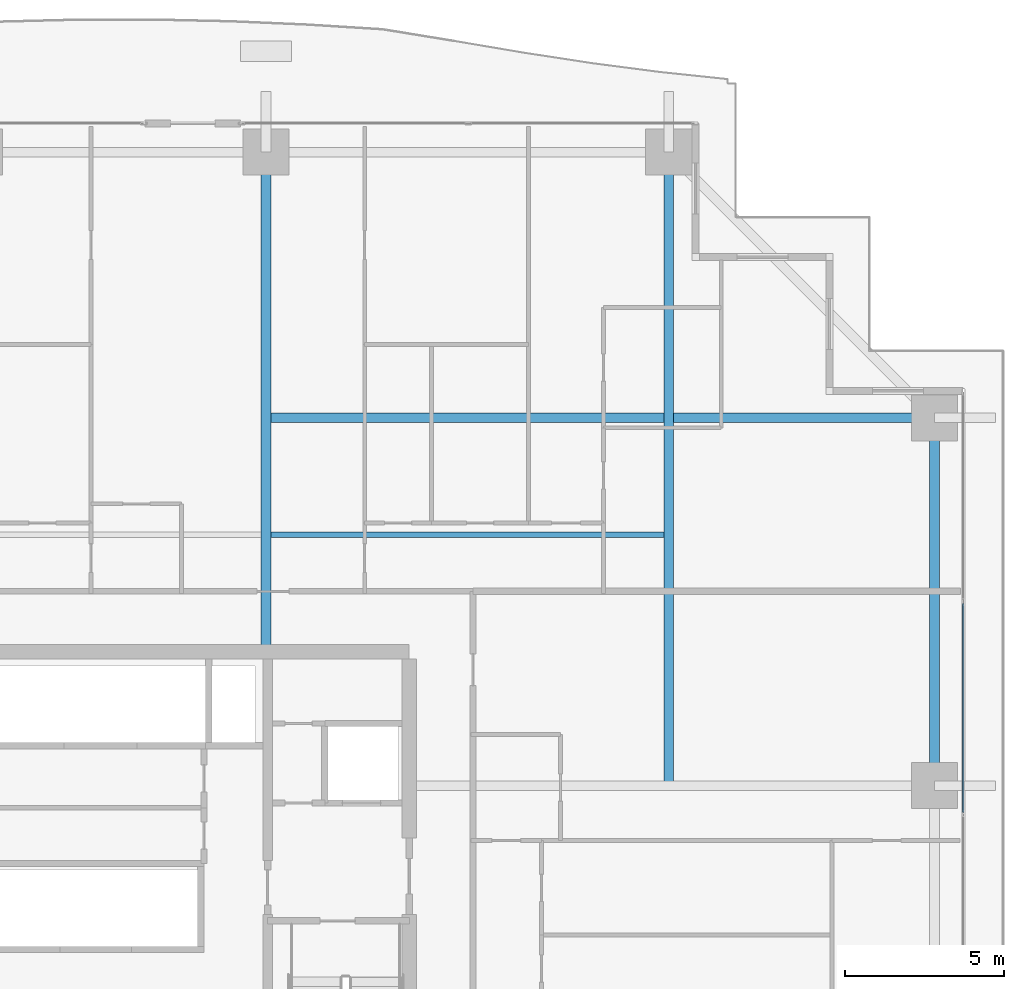
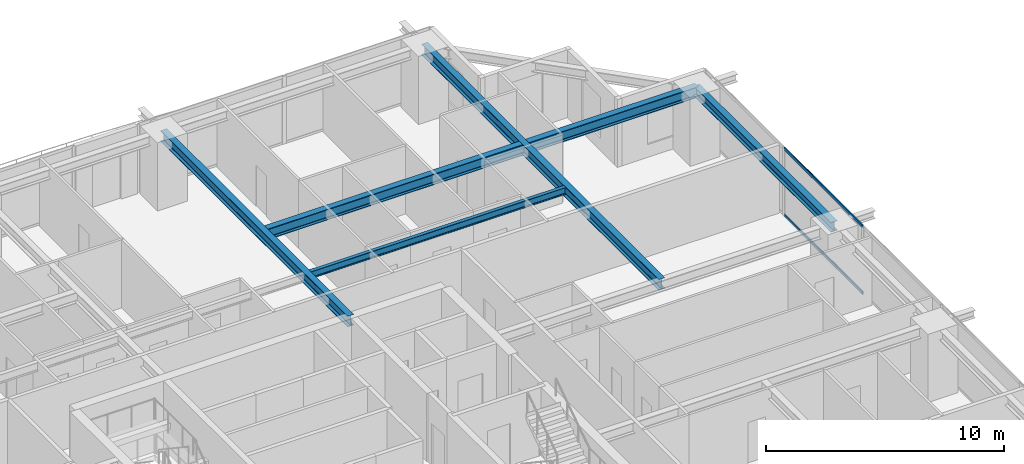
# One storey, part 19 of 35: 5 beams, 2 members, 1 element without a shape of its own.
"""IFC4 building model written with IfcOpenShell, lengths in metres."""

from ifc_helpers import new_model, si_unit, direction, frame, origin, origin_2d, place, context, subcontext, project, spatial, hollow_rectangle, i_section, extrude, source, transform, mapped, material, layer, layer_set, material_profile, profile_set, type_object, element, aggregate, save


model = new_model("IFC4")

# Units and contexts
model_context = context("Model", 3, precision=1e-05, world=origin(), true_north=direction((0.0, 1.0)))
body_context = subcontext(model_context, "Body", "Model", "MODEL_VIEW")
ifc_project = project(units=[si_unit("LENGTHUNIT", "METRE"), si_unit("AREAUNIT", "SQUARE_METRE"), si_unit("VOLUMEUNIT", "CUBIC_METRE"), si_unit("PLANEANGLEUNIT", "RADIAN"), si_unit("MASSUNIT", "GRAM", prefix="KILO")], contexts=[model_context])

# Site, building, storey
site_placement = place(None, origin())
site = spatial("IfcSite", under=ifc_project, at=site_placement, CompositionType="ELEMENT")
building_placement = place(site_placement, origin())
building = spatial("IfcBuilding", under=site, at=building_placement, Name="Serunith Strait Residences", CompositionType="ELEMENT")
storey_placement = place(building_placement, frame((0.0, 0.0, 56.699951171875)))
storey = spatial("IfcBuildingStorey", under=building, at=storey_placement, Name="L13", CompositionType="ELEMENT", Elevation=56.699951171875)

# Beams
ifc_material_1 = material(Name="Steel S355J2", Category="steel")
ifc_material_profile_1 = material_profile(ifc_material_1, i_section(OverallWidth=0.300048828125, OverallDepth=0.550048828125, WebThickness=0.014892578125, FlangeThickness=0.029052734375, FilletRadius=0.027099609375, at=origin_2d()), Name="HEB 550")
ifc_profile_set_1 = profile_set([ifc_material_profile_1], Name="Steel S355J2")
beam_type_1 = type_object("IfcBeamType", Name="BM-HEB550", PredefinedType="BEAM", material=ifc_profile_set_1)
shared_shape_1 = source(origin(), body_context, "Body", "SweptSolid", [
    extrude(i_section(OverallWidth=0.300048828125, OverallDepth=0.550048828125, WebThickness=0.014892578125, FlangeThickness=0.029052734375, FilletRadius=0.027099609375, at=origin_2d()), origin(), (0.0, 0.0, 1.0), 15.699951171875),
])
beam_1_placement = place(storey_placement, frame((36.89990234375, 33.60009765625, 3.212158203125), z_axis=(0.0, 1.0, 0.0), x_axis=(-1.0, 0.0, 0.0)))
element("IfcBeam", 1, at=beam_1_placement, inside=storey, type_object=beam_type_1, Name="L13 Primary Floor Girder TC-N3", PredefinedType="BEAM", context=body_context, shape_type="MappedRepresentation", body=[
    mapped(shared_shape_1, transform((0.0, 0.0, 0.0), scale=1.0)),
])
shared_shape_2 = source(origin(), body_context, "Body", "SweptSolid", [
    extrude(i_section(OverallWidth=0.300048828125, OverallDepth=0.550048828125, WebThickness=0.014892578125, FlangeThickness=0.029052734375, FilletRadius=0.027099609375, at=origin_2d()), origin(), (0.0, 0.0, 1.0), 19.900146484375),
])
beam_2_placement = place(storey_placement, frame((49.550048828125, 29.39990234375, 3.212158203125), z_axis=(0.0, 1.0, 0.0), x_axis=(-1.0, 0.0, 0.0)))
element("IfcBeam", 2, at=beam_2_placement, inside=storey, type_object=beam_type_1, Name="L13 Orthogonal Corner Girder TC-N4", PredefinedType="BEAM", context=body_context, shape_type="MappedRepresentation", body=[
    mapped(shared_shape_2, transform((0.0, 0.0, 0.0), scale=1.0)),
])
shared_shape_3 = source(origin(), body_context, "Body", "SweptSolid", [
    extrude(i_section(OverallWidth=0.300048828125, OverallDepth=0.550048828125, WebThickness=0.014892578125, FlangeThickness=0.029052734375, FilletRadius=0.027099609375, at=origin_2d()), origin(), (0.0, 0.0, 1.0), 21.0),
])
beam_3_placement = place(storey_placement, frame((36.89990234375, 40.949951171875, 3.212158203125), z_axis=(1.0, 0.0, 0.0), x_axis=(0.0, 1.0, 0.0)))
element("IfcBeam", 3, at=beam_3_placement, inside=storey, type_object=beam_type_1, Name="L13 Orthogonal Corner Girder TC-E4", PredefinedType="BEAM", context=body_context, shape_type="MappedRepresentation", body=[
    mapped(shared_shape_3, transform((0.0, 0.0, 0.0), scale=1.0)),
])
ifc_material_profile_2 = material_profile(ifc_material_1, i_section(OverallWidth=0.300048828125, OverallDepth=0.5, WebThickness=0.014404296875, FlangeThickness=0.028076171875, FilletRadius=0.027099609375, at=origin_2d()), Name="HEB 500")
ifc_profile_set_2 = profile_set([ifc_material_profile_2], Name="Steel S355J2")
beam_type_2 = type_object("IfcBeamType", Name="BM-HEB500", PredefinedType="BEAM", material=ifc_profile_set_2)
shared_shape_4 = source(origin(), body_context, "Body", "SweptSolid", [
    extrude(i_section(OverallWidth=0.300048828125, OverallDepth=0.5, WebThickness=0.014404296875, FlangeThickness=0.028076171875, FilletRadius=0.027099609375, at=origin_2d()), origin(), (0.0, 0.0, 1.0), 11.550048828125),
])
beam_4_placement = place(storey_placement, frame((57.89990234375, 29.39990234375, 3.237060546875), z_axis=(0.0, 1.0, 0.0), x_axis=(-1.0, 0.0, 0.0)))
element("IfcBeam", 4, at=beam_4_placement, inside=storey, type_object=beam_type_2, Name="L13 Perimeter Ring Beam 07", PredefinedType="BEAM", context=body_context, shape_type="MappedRepresentation", body=[
    mapped(shared_shape_4, transform((0.0, 0.0, 0.0), scale=1.0)),
])
ifc_material_profile_3 = material_profile(ifc_material_1, i_section(OverallWidth=0.169921875, OverallDepth=0.360107421875, WebThickness=0.008056640625, FlangeThickness=0.0126953125, FilletRadius=0.01806640625, at=origin_2d()), Name="IPE 360")
ifc_profile_set_3 = profile_set([ifc_material_profile_3], Name="Steel S355J2")
beam_type_3 = type_object("IfcBeamType", Name="BM-IPE360", PredefinedType="JOIST", material=ifc_profile_set_3)
shared_shape_5 = source(origin(), body_context, "Body", "SweptSolid", [
    extrude(i_section(OverallWidth=0.169921875, OverallDepth=0.360107421875, WebThickness=0.008056640625, FlangeThickness=0.0126953125, FilletRadius=0.01806640625, at=origin_2d()), origin(), (0.0, 0.0, 1.0), 12.349853515625),
])
beam_5_placement = place(storey_placement, frame((37.050048828125, 37.27490234375, 3.30712890625), z_axis=(1.0, 0.0, 0.0), x_axis=(0.0, 1.0, 0.0)))
element("IfcBeam", 5, at=beam_5_placement, inside=storey, type_object=beam_type_3, Name="L13 Composite Floor Joist 06", PredefinedType="JOIST", context=body_context, shape_type="MappedRepresentation", body=[
    mapped(shared_shape_5, transform((0.0, 0.0, 0.0), scale=1.0)),
])

# Curtain wall, members
ifc_material_2 = material(Name="Pale-Champagne Anodised Aluminium", Category="aluminium")
ifc_layer = layer(ifc_material_2, 0.199951171875, Name="Pale-Champagne Anodised Aluminium")
ifc_layer_set = layer_set([ifc_layer], Name="Pale-Champagne Anodised Aluminium")
curtain_wall_type = type_object("IfcCurtainWallType", Name="CW-SYS1", PredefinedType="NOTDEFINED", material=ifc_layer_set)
curtain_wall_placement = place(storey_placement, origin())
curtain_wall = element("IfcCurtainWall", 6, at=curtain_wall_placement, inside=storey, type_object=curtain_wall_type, Name="L13 E Unitised Fritted Curtain Wall", PredefinedType="NOTDEFINED")
ifc_material_profile_4 = material_profile(ifc_material_2, hollow_rectangle(XDim=0.06005859375, YDim=0.159912109375, WallThickness=0.00341796875, InnerFilletRadius=0.00537109375, OuterFilletRadius=0.0087890625, at=origin_2d()), Name="ALU 160x60x3.5")
ifc_profile_set_4 = profile_set([ifc_material_profile_4], Name="Pale-Champagne Anodised Aluminium")
member_type = type_object("IfcMemberType", Name="CW-SYS1-TRAN", PredefinedType="USERDEFINED", material=ifc_profile_set_4)
shared_shape_6 = source(origin(), body_context, "Body", "SweptSolid", [
    extrude(hollow_rectangle(XDim=0.06005859375, YDim=0.159912109375, WallThickness=0.00341796875, InnerFilletRadius=0.00537109375, OuterFilletRadius=0.0087890625, at=origin_2d()), origin(), (0.0, 0.0, 1.0), 6.570068359375),
])
member_1_placement = place(storey_placement, frame((58.800048828125, 28.554931640625, 0.030029296875), z_axis=(0.0, 1.0, 0.0), x_axis=(-1.0, 0.0, 0.0)))
member_1 = element("IfcMember", 7, at=member_1_placement, type_object=member_type, Name="CW-1 transom 4.1", ObjectType="TRANSOM", PredefinedType="USERDEFINED", context=body_context, shape_type="MappedRepresentation", body=[
    mapped(shared_shape_6, transform((0.0, 0.0, 0.0), scale=1.0)),
])
member_2_placement = place(storey_placement, frame((58.800048828125, 28.554931640625, 3.445068359375), z_axis=(0.0, 1.0, 0.0), x_axis=(-1.0, 0.0, 0.0)))
member_2 = element("IfcMember", 8, at=member_2_placement, type_object=member_type, Name="CW-1 transom 4.2", ObjectType="TRANSOM", PredefinedType="USERDEFINED", context=body_context, shape_type="MappedRepresentation", body=[
    mapped(shared_shape_6, transform((0.0, 0.0, 0.0), scale=1.0)),
])
aggregate(curtain_wall, [member_1, member_2])

save(model, "model.ifc")
